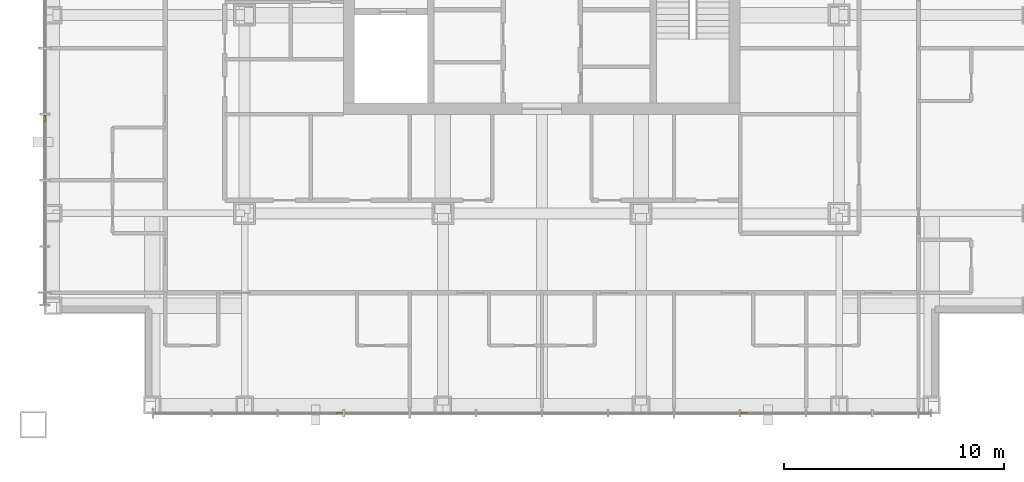
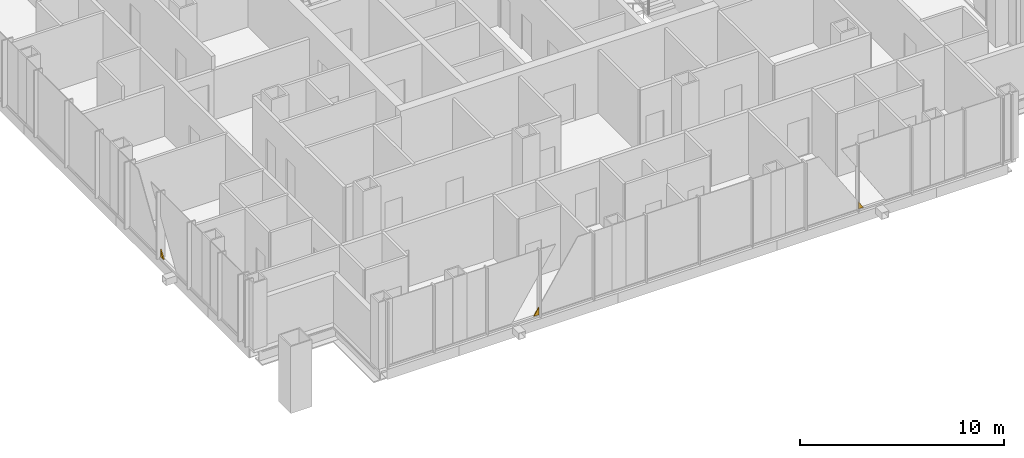
# One storey, part 18 of 21: 3 coverings.
"""IFC4 building model written with IfcOpenShell, lengths in metres."""

from ifc_helpers import new_model, si_unit, direction, frame, origin, place, context, subcontext, project, spatial, polyline, outline, extrude, material, layer, layer_set, type_object, element, save


model = new_model("IFC4")

# Units and contexts
model_context = context("Model", 3, precision=1e-05, world=origin(), true_north=direction((0.0, 1.0)))
body_context = subcontext(model_context, "Body", "Model", "MODEL_VIEW")
ifc_project = project(units=[si_unit("LENGTHUNIT", "METRE"), si_unit("AREAUNIT", "SQUARE_METRE"), si_unit("VOLUMEUNIT", "CUBIC_METRE"), si_unit("PLANEANGLEUNIT", "RADIAN"), si_unit("MASSUNIT", "GRAM", prefix="KILO")], contexts=[model_context])

# Site, building, storey
site_placement = place(None, origin())
site = spatial("IfcSite", under=ifc_project, at=site_placement, CompositionType="ELEMENT")
building_placement = place(site_placement, origin())
building = spatial("IfcBuilding", under=site, at=building_placement, Name="Malebo Sky Hospital", CompositionType="ELEMENT")
storey_placement = place(building_placement, frame((0.0, 0.0, 229.0)))
storey = spatial("IfcBuildingStorey", under=building, at=storey_placement, Name="L55", CompositionType="ELEMENT", Elevation=229.0)

# Coverings
ifc_material = material(Name="Anodised aluminium, natural silver insulated infill panel", Category="aluminium")
ifc_layer = layer(ifc_material, 0.0400390625)
ifc_layer_set = layer_set([ifc_layer], Name="BRACE INFILL PANEL 40")
covering_type = type_object("IfcCoveringType", Name="BRACE INFILL PANEL 40", PredefinedType="CLADDING", material=ifc_layer_set)
for number, where, z_axis, x_axis, name in (
    (1, (37.425048828125, 52.8203125, 0.10009765625), (0.0, 0.0, 1.0), (0.0, 1.0, 0.0), "Brace infill panel 4.1"),
    (2, (69.1796875, 39.425048828125, 0.10009765625), (0.0, 0.0, 1.0), (-1.0, 0.0, 0.0), "Brace infill panel 4.1"),
):
    element("IfcCovering", number, at=place(storey_placement, frame(where, z_axis=z_axis, x_axis=x_axis)), inside=storey, type_object=covering_type, Name=name, PredefinedType="CLADDING", context=body_context, shape_type="SweptSolid", body=[
        extrude(outline(polyline([(-0.14208984375, 0.0), (0.14208984375, 0.0), (0.14208984375, 0.442626953125), (-0.14208984375, 0.0)])), frame((0.0, 0.02001953125, 0.0), z_axis=(0.0, -1.0, 0.0), x_axis=(1.0, 0.0, 0.0)), (0.0, 0.0, 1.0), 0.0400390625),
    ])
covering_placement = place(storey_placement, frame((50.8203125, 39.425048828125, 0.10009765625), z_axis=(0.0, 0.0, 1.0), x_axis=(-1.0, 0.0, 0.0)))
element("IfcCovering", 3, at=covering_placement, inside=storey, type_object=covering_type, Name="Brace infill panel 11.1", PredefinedType="CLADDING", context=body_context, shape_type="SweptSolid", body=[
    extrude(outline(polyline([(-0.14208984375, 0.0), (0.14208984375, 0.0), (-0.14208984375, 0.442626953125), (-0.14208984375, 0.0)])), frame((0.0, 0.02001953125, 0.0), z_axis=(0.0, -1.0, 0.0), x_axis=(1.0, 0.0, 0.0)), (0.0, 0.0, 1.0), 0.0400390625),
])

save(model, "model.ifc")
